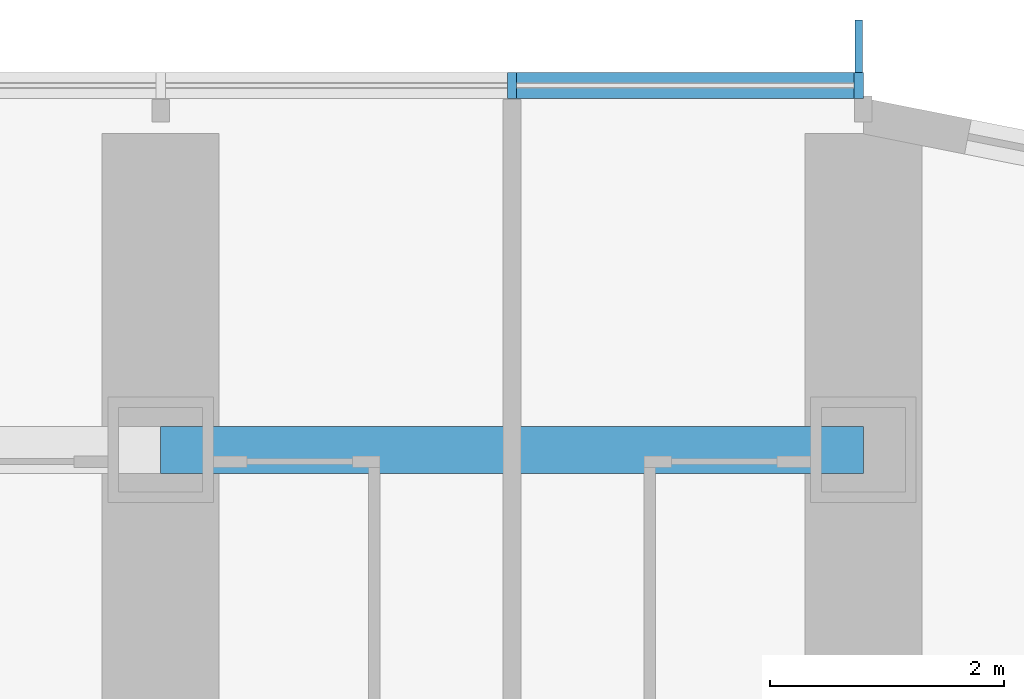
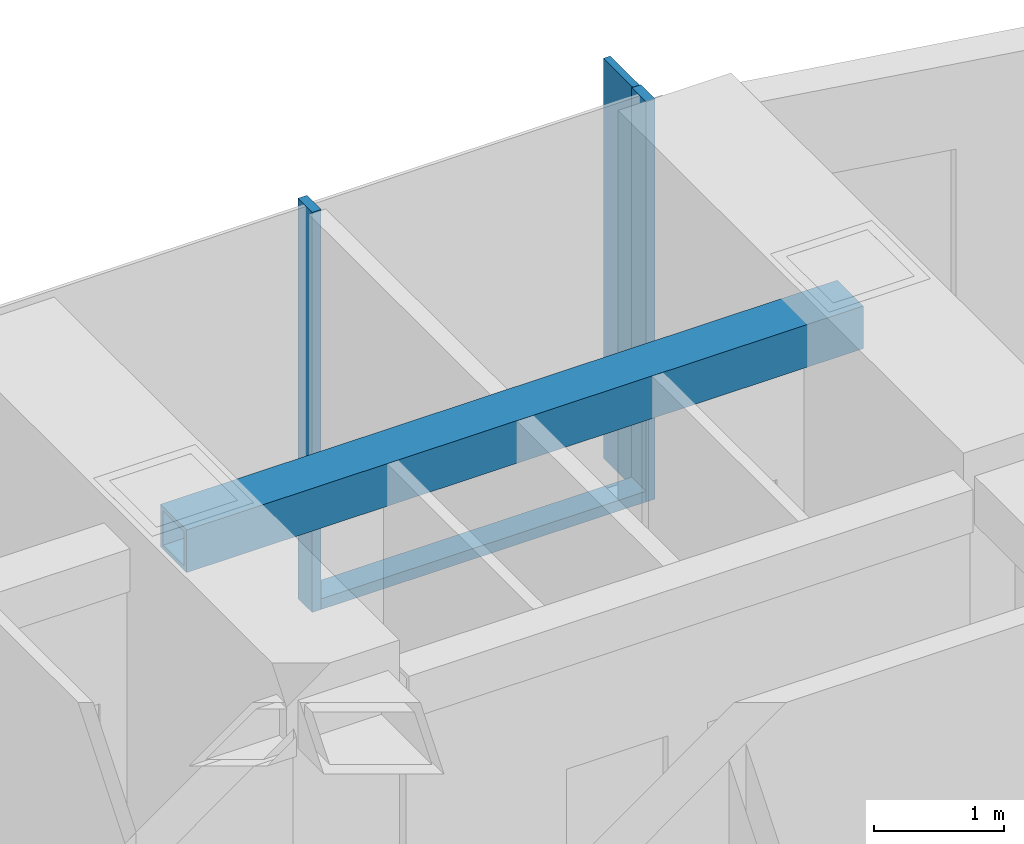
# One storey, part 7 of 24: 4 members, 1 beam, 1 element without a shape of its own.
"""IFC4 building model written with IfcOpenShell, lengths in metres."""

import ifcopenshell
import ifcopenshell.guid

model = None  # the IFC model being written
_history = None  # IfcOwnerHistory: only IFC2X3 demands one
_inside = {}  # id of a spatial element -> (the spatial element, [elements in it])
_under = {}  # id of a project, library or spatial element -> (it, [spatial elements below it])
_declared = {}  # id of a project -> (the project, [libraries it declares])
_typed = {}  # id of a type object -> (the type object, [elements of that type])
_made_of = {}  # id of a material, layer set ... -> (it, [elements and type objects made of it])


def new_model(schema):
    """Start an empty IFC model of exactly this schema.

    Asked for "IFC4X3", IfcOpenShell would pick the latest addendum, in which some entities
    have other attributes; the version numbers below select the first issue.
    IFC2X3 requires an IfcOwnerHistory on every rooted entity: one is made here for all.
    """
    global model, _history
    if schema == "IFC4X3":
        model = ifcopenshell.file(schema_version=(4, 3, 0, 0))
    else:
        model = ifcopenshell.file(schema=schema)
    _inside.clear()
    _under.clear()
    _declared.clear()
    _typed.clear()
    _made_of.clear()
    _history = None
    if model.schema == "IFC2X3":
        org = make("IfcOrganization", Name="unknown")
        user = make(
            "IfcPersonAndOrganization",
            ThePerson=make("IfcPerson", FamilyName="unknown"),
            TheOrganization=org,
        )
        app = make(
            "IfcApplication",
            ApplicationDeveloper=org,
            Version="unknown",
            ApplicationFullName="unknown",
            ApplicationIdentifier="unknown",
        )
        _history = make(
            "IfcOwnerHistory",
            OwningUser=user,
            OwningApplication=app,
            ChangeAction="ADDED",
            CreationDate=0,
        )
    return model


def make(cls, **values):
    """One entity of the class cls with the attributes given. An attribute that is None is left unset."""
    return model.create_entity(
        cls, **{name: value for name, value in values.items() if value is not None}
    )


def rooted(cls, **values):
    """An entity with a GlobalId (a new one), such as an element, a storey or a relation."""
    return make(cls, GlobalId=ifcopenshell.guid.new(), OwnerHistory=_history, **values)


def si_unit(unit_type, name, prefix=None):
    """IfcSIUnit, for example si_unit("LENGTHUNIT", "METRE", prefix="MILLI")."""
    return make("IfcSIUnit", UnitType=unit_type, Prefix=prefix, Name=name)


def assignment(units):
    """IfcUnitAssignment: the units of a project."""
    return None if units is None else make("IfcUnitAssignment", Units=units)


def point(xyz):
    """IfcCartesianPoint."""
    return None if xyz is None else make("IfcCartesianPoint", Coordinates=xyz)


def direction(xyz):
    """IfcDirection."""
    return None if xyz is None else make("IfcDirection", DirectionRatios=xyz)


def frame(location, z_axis=None, x_axis=None):
    """IfcAxis2Placement3D, a coordinate frame: its origin and axes. An axis left out is left unset."""
    return make(
        "IfcAxis2Placement3D",
        Location=point(location),
        Axis=direction(z_axis),
        RefDirection=direction(x_axis),
    )


def frame_2d(location, x_axis=None):
    """IfcAxis2Placement2D, a coordinate frame in the plane: its origin and x axis."""
    return make(
        "IfcAxis2Placement2D", Location=point(location), RefDirection=direction(x_axis)
    )


def origin():
    """The frame at (0, 0, 0) with its axes left unset."""
    return frame((0.0, 0.0, 0.0))


def origin_2d():
    """The frame at (0, 0) in the plane with its x axis left unset."""
    return frame_2d((0.0, 0.0))


def place(relative_to, where):
    """IfcLocalPlacement: puts the frame where relative to a parent placement (None: the world)."""
    return make(
        "IfcLocalPlacement", PlacementRelTo=relative_to, RelativePlacement=where
    )


def context(
    kind, dimensions, precision=None, world=None, true_north=None, identifier=None
):
    """IfcGeometricRepresentationContext, for example the 3D "Model" context."""
    return make(
        "IfcGeometricRepresentationContext",
        ContextIdentifier=identifier,
        ContextType=kind,
        CoordinateSpaceDimension=dimensions,
        Precision=precision,
        WorldCoordinateSystem=world,
        TrueNorth=true_north,
    )


def subcontext(parent, identifier, kind, view, scale=None):
    """IfcGeometricRepresentationSubContext, for example "Body" below "Model"."""
    return make(
        "IfcGeometricRepresentationSubContext",
        ContextIdentifier=identifier,
        ContextType=kind,
        ParentContext=parent,
        TargetScale=scale,
        TargetView=view,
    )


def project(units=None, contexts=None):
    """IfcProject with its units and contexts."""
    return rooted(
        "IfcProject",
        Name="project",
        RepresentationContexts=contexts,
        UnitsInContext=assignment(units),
    )


def spatial(cls, under=None, at=None, **own):
    """A site, building, storey or space (cls), placed at a placement, below another one or the project."""
    s = rooted(cls, ObjectPlacement=at, **own)
    if under is not None:
        _under.setdefault(under.id(), (under, []))[1].append(s)
    return s


def profile(cls, at=None, kind="AREA", **sizes):
    """A parametric profile (cls). Its sizes go by their IFC names, for example OverallWidth=200.0."""
    return make(cls, ProfileType=kind, Position=at, **sizes)


def rectangle(**sizes):
    """IfcRectangleProfileDef."""
    return profile("IfcRectangleProfileDef", **sizes)


def hollow_rectangle(**sizes):
    """IfcRectangleHollowProfileDef."""
    return profile("IfcRectangleHollowProfileDef", **sizes)


def extrude(swept, where, along, depth):
    """IfcExtrudedAreaSolid: the profile swept, set in the frame where, extruded along a direction by depth."""
    return make(
        "IfcExtrudedAreaSolid",
        SweptArea=swept,
        Position=where,
        ExtrudedDirection=direction(along),
        Depth=depth,
    )


def shape(context_of_items, identifier, shape_type, items):
    """IfcShapeRepresentation: the items that make up one representation, for example the "Body"."""
    return make(
        "IfcShapeRepresentation",
        ContextOfItems=context_of_items,
        RepresentationIdentifier=identifier,
        RepresentationType=shape_type,
        Items=items,
    )


def material(Name=None, Category=None):
    """IfcMaterial."""
    return make("IfcMaterial", Name=Name, Category=Category)


def material_profile(
    of_material, cross_section, Name=None, Category=None, Priority=None
):
    """IfcMaterialProfile: a cross section and its material."""
    return make(
        "IfcMaterialProfile",
        Name=Name,
        Material=of_material,
        Profile=cross_section,
        Priority=Priority,
        Category=Category,
    )


def profile_set(profiles, Name=None, composite=None):
    """IfcMaterialProfileSet."""
    return make(
        "IfcMaterialProfileSet",
        Name=Name,
        MaterialProfiles=profiles,
        CompositeProfile=composite,
    )


def made_of(thing, what):
    """Note that an element or type object is made of a material, layer set ...; save() writes the relation."""
    if what is not None:
        _made_of.setdefault(what.id(), (what, []))[1].append(thing)
    return thing


def type_object(cls, material=None, **own):
    """A type object (cls), such as IfcWallType, which elements share."""
    return made_of(rooted(cls, **own), material)


def element(
    cls,
    number,
    at=None,
    inside=None,
    cuts=None,
    type_object=None,
    material=None,
    context=None,
    identifier="Body",
    shape_type=None,
    held_by="IfcProductDefinitionShape",
    body=None,
    shapes=None,
    **own,
):
    """One element of the class cls, such as IfcWall. Its Tag is "e" and its number.

    at: its placement. inside: the storey or other place that contains it. cuts: it is an
    opening in that element (IfcRelVoidsElement). A single representation is given by context,
    identifier, shape_type and body (its items); several are given by shapes. held_by: the class
    of the entity that holds the representations. save() writes the other relations.
    """
    e = rooted(cls, Tag="e%d" % number, ObjectPlacement=at, **own)
    if body is not None:
        shapes = [shape(context, identifier, shape_type, body)]
    if shapes is not None:
        e.Representation = make(held_by, Representations=shapes)
    if inside is not None:
        _inside.setdefault(inside.id(), (inside, []))[1].append(e)
    if cuts is not None:
        rooted(
            "IfcRelVoidsElement", RelatingBuildingElement=cuts, RelatedOpeningElement=e
        )
    if type_object is not None:
        _typed.setdefault(type_object.id(), (type_object, []))[1].append(e)
    return made_of(e, material)


def aggregate(whole, parts):
    """IfcRelAggregates: a whole, such as a stair, and the parts it consists of."""
    return rooted("IfcRelAggregates", RelatingObject=whole, RelatedObjects=parts)


def save(model, path):
    """Write the relations noted so far, then the file.

    IfcRelAggregates (storeys below a building ...), IfcRelContainedInSpatialStructure (elements
    in a storey), IfcRelDefinesByType, IfcRelAssociatesMaterial and IfcRelDeclares: one each for
    every whole, place, type object, material and project.
    """
    for whole, parts in _under.values():
        aggregate(whole, parts)
    for where, things in _inside.values():
        rooted(
            "IfcRelContainedInSpatialStructure",
            RelatedElements=things,
            RelatingStructure=where,
        )
    for kind, things in _typed.values():
        rooted("IfcRelDefinesByType", RelatedObjects=things, RelatingType=kind)
    for what, things in _made_of.values():
        rooted("IfcRelAssociatesMaterial", RelatedObjects=things, RelatingMaterial=what)
    for by, libraries in _declared.values():
        rooted("IfcRelDeclares", RelatingContext=by, RelatedDefinitions=libraries)
    model.write(path)


model = new_model("IFC4")

# Units and contexts
model_context = context("Model", 3, precision=1e-05, world=origin(), true_north=direction((0.0, 1.0)))
body_context = subcontext(model_context, "Body", "Model", "MODEL_VIEW")
ifc_project = project(units=[si_unit("LENGTHUNIT", "METRE"), si_unit("AREAUNIT", "SQUARE_METRE"), si_unit("VOLUMEUNIT", "CUBIC_METRE"), si_unit("PLANEANGLEUNIT", "RADIAN"), si_unit("MASSUNIT", "GRAM", prefix="KILO")], contexts=[model_context])

# Site, building, storey
site_placement = place(None, origin())
site = spatial("IfcSite", under=ifc_project, at=site_placement, CompositionType="ELEMENT")
building_placement = place(site_placement, origin())
building = spatial("IfcBuilding", under=site, at=building_placement, Name="Orbita Commons", CompositionType="ELEMENT")
storey_placement = place(building_placement, frame((0.0, 0.0, 27.699951171875)))
storey = spatial("IfcBuildingStorey", under=building, at=storey_placement, Name="L06", CompositionType="ELEMENT", Elevation=27.699951171875)

# Curtain wall, members
ifc_material_1 = material(Name="Anodised aluminium frame, pale silver", Category="aluminium")
curtain_wall_type = type_object("IfcCurtainWallType", Name="Unitised curtain wall CW-T, vision and spandrel", PredefinedType="NOTDEFINED", material=ifc_material_1)
curtain_wall_placement = place(storey_placement, origin())
curtain_wall = element("IfcCurtainWall", 1, at=curtain_wall_placement, inside=storey, type_object=curtain_wall_type, Name="Curtain wall north L06", PredefinedType="NOTDEFINED")
ifc_material_2 = material(Name="Anodised aluminium, pale silver", Category="aluminium")
ifc_material_profile_1 = material_profile(ifc_material_2, rectangle(XDim=0.080078125, YDim=0.219970703125, at=origin_2d()), Name="AL 80x220")
ifc_profile_set_1 = profile_set([ifc_material_profile_1], Name="Anodised aluminium, pale silver")
member_type_1 = type_object("IfcMemberType", Name="Curtain wall mullion 80x220", PredefinedType="MULLION", material=ifc_profile_set_1)
member_1_placement = place(storey_placement, frame((71.9599609375, 56.7099609375, -0.25), z_axis=(0.0, 0.0, 1.0), x_axis=(-1.0, 0.0, 0.0)))
member_1 = element("IfcMember", 2, at=member_1_placement, type_object=member_type_1, Name="Mullion 1 CW-L06-N", PredefinedType="MULLION", context=body_context, shape_type="SweptSolid", body=[
    extrude(rectangle(XDim=0.080078125, YDim=0.219970703125, at=origin_2d()), origin(), (0.0, 0.0, 1.0), 3.75),
])
member_2_placement = place(storey_placement, frame((69.0, 56.7099609375, -0.25), z_axis=(0.0, 0.0, 1.0), x_axis=(-1.0, 0.0, 0.0)))
member_2 = element("IfcMember", 3, at=member_2_placement, type_object=member_type_1, Name="Mullion 2 CW-L06-N", PredefinedType="MULLION", context=body_context, shape_type="SweptSolid", body=[
    extrude(rectangle(XDim=0.080078125, YDim=0.219970703125, at=origin_2d()), origin(), (0.0, 0.0, 1.0), 3.75),
])
ifc_material_3 = material(Name="Anodised aluminium, pale silver", Category="aluminium")
ifc_material_profile_2 = material_profile(ifc_material_3, rectangle(XDim=0.219970703125, YDim=0.10009765625, at=origin_2d()), Name="AL 220x100")
ifc_profile_set_2 = profile_set([ifc_material_profile_2], Name="Anodised aluminium, pale silver")
member_type_2 = type_object("IfcMemberType", Name="Curtain wall stack transom 220x100", PredefinedType="USERDEFINED", material=ifc_profile_set_2)
member_3_placement = place(storey_placement, frame((71.919921875, 56.7099609375, -0.199951171875), z_axis=(-1.0, 0.0, 0.0), x_axis=(0.0, -1.0, 0.0)))
member_3 = element("IfcMember", 4, at=member_3_placement, type_object=member_type_2, Name="Transom 1.1 CW-L06-N", ObjectType="TRANSOM", PredefinedType="USERDEFINED", context=body_context, shape_type="SweptSolid", body=[
    extrude(rectangle(XDim=0.219970703125, YDim=0.10009765625, at=origin_2d()), origin(), (0.0, 0.0, 1.0), 2.8798828125),
])

# Beam
ifc_material_4 = material(Name="Steel ASTM A572 Gr 50 welded plate", Category="steel")
ifc_material_profile_3 = material_profile(ifc_material_4, hollow_rectangle(XDim=0.39990234375, YDim=0.39990234375, WallThickness=0.0400390625, at=origin_2d()), Name="BOX 400x400x40")
ifc_profile_set_3 = profile_set([ifc_material_profile_3], Name="Steel ASTM A572 Gr 50 welded plate")
beam_type = type_object("IfcBeamType", Name="Steel spandrel BOX 400x400x40", PredefinedType="SPANDREL", material=ifc_profile_set_3)
beam_placement = place(storey_placement, frame((66.0, 53.60009765625, 3.300048828125), z_axis=(1.0, 0.0, 0.0), x_axis=(0.0, 1.0, 0.0)))
element("IfcBeam", 5, at=beam_placement, inside=storey, type_object=beam_type, Name="Spandrel beam E 12-13 L06", PredefinedType="SPANDREL", context=body_context, shape_type="SweptSolid", body=[
    extrude(hollow_rectangle(XDim=0.39990234375, YDim=0.39990234375, WallThickness=0.0400390625, at=origin_2d()), origin(), (0.0, 0.0, 1.0), 6.0),
])

# Member
ifc_material_5 = material(Name="Anodised aluminium, pale silver", Category="aluminium")
ifc_material_profile_4 = material_profile(ifc_material_5, rectangle(XDim=0.06005859375, YDim=0.449951171875, at=origin_2d()), Name="FIN 60x450")
ifc_profile_set_4 = profile_set([ifc_material_profile_4], Name="Anodised aluminium, pale silver")
member_type_3 = type_object("IfcMemberType", Name="Vertical fin 60x450 pale aluminium", PredefinedType="USERDEFINED", material=ifc_profile_set_4)
member_4_placement = place(storey_placement, frame((71.9599609375, 57.044921875, -0.25), z_axis=(0.0, 0.0, 1.0), x_axis=(-1.0, 0.0, 0.0)))
member_4 = element("IfcMember", 6, at=member_4_placement, type_object=member_type_3, Name="Fin 1 CW-L06-N", ObjectType="FIN", PredefinedType="USERDEFINED", context=body_context, shape_type="SweptSolid", body=[
    extrude(rectangle(XDim=0.06005859375, YDim=0.449951171875, at=origin_2d()), origin(), (0.0, 0.0, 1.0), 3.75),
])

aggregate(curtain_wall, [member_1, member_4, member_2, member_3])

save(model, "model.ifc")
